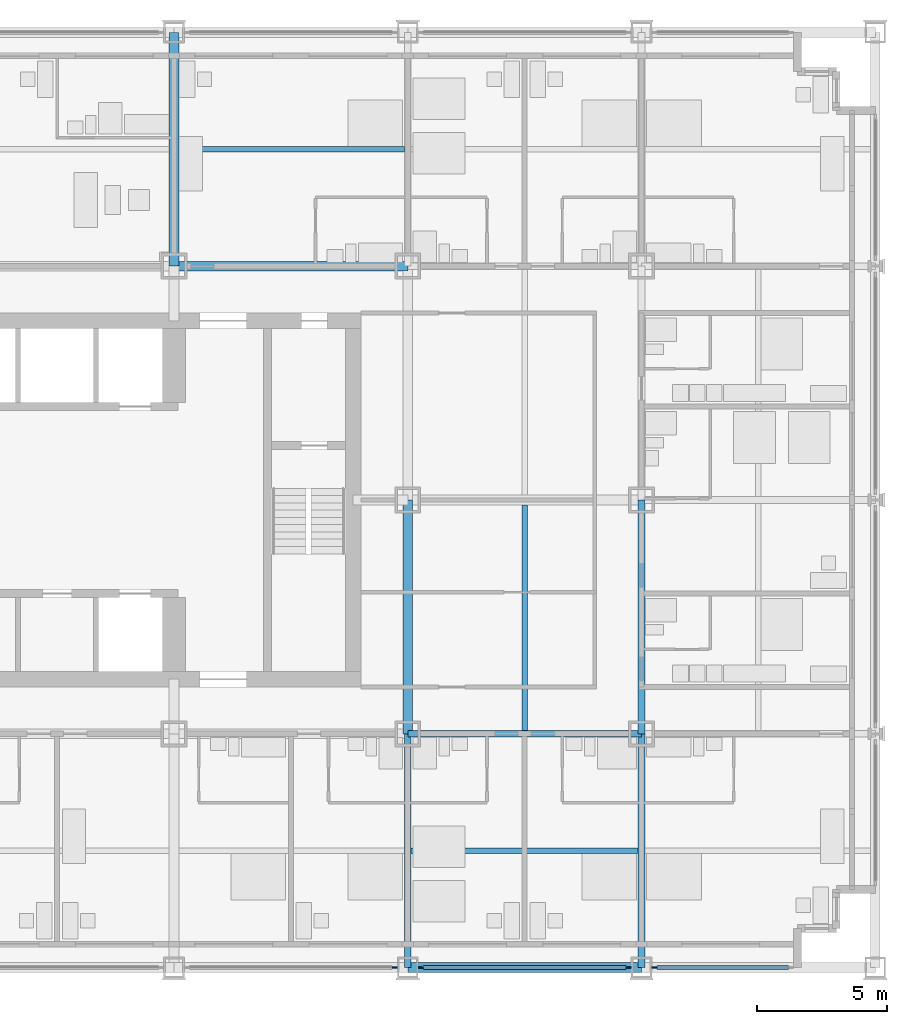
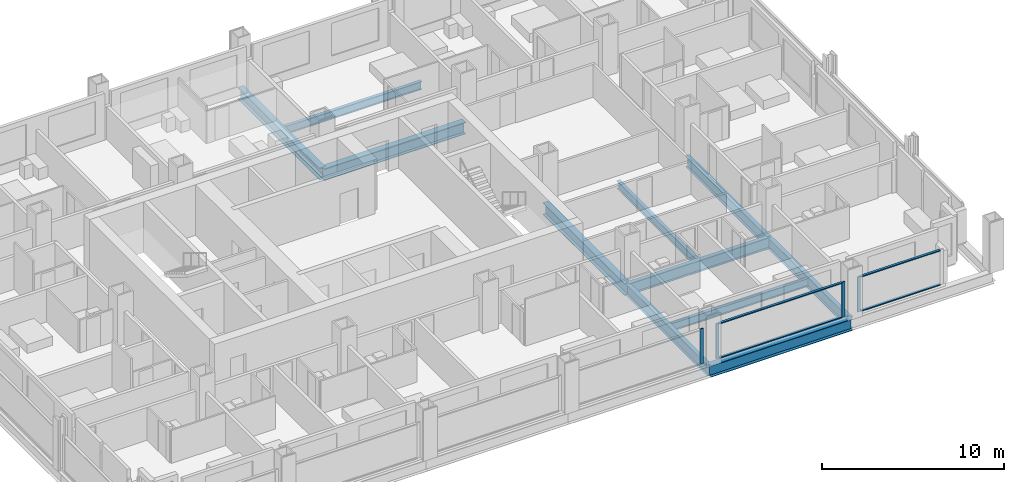
# One storey, part 5 of 19: 11 beams, 8 members, 3 elements without a shape of their own.
"""IFC4 building model written with IfcOpenShell, lengths in metres."""

from ifc_helpers import new_model, si_unit, direction, frame, origin, origin_2d, place, context, subcontext, project, spatial, rectangle, i_section, extrude, material, material_profile, profile_set, type_object, element, aggregate, save


model = new_model("IFC4")

# Units and contexts
model_context = context("Model", 3, precision=1e-05, world=origin(), true_north=direction((0.0, 1.0)))
body_context = subcontext(model_context, "Body", "Model", "MODEL_VIEW")
ifc_project = project(units=[si_unit("LENGTHUNIT", "METRE"), si_unit("AREAUNIT", "SQUARE_METRE"), si_unit("VOLUMEUNIT", "CUBIC_METRE"), si_unit("PLANEANGLEUNIT", "RADIAN"), si_unit("MASSUNIT", "GRAM", prefix="KILO")], contexts=[model_context])

# Site, building, storey
site_placement = place(None, origin())
site = spatial("IfcSite", under=ifc_project, at=site_placement, CompositionType="ELEMENT")
building_placement = place(site_placement, origin())
building = spatial("IfcBuilding", under=site, at=building_placement, Name="Loomwork Tower", CompositionType="ELEMENT")
storey_placement = place(building_placement, frame((0.0, 0.0, 85.800048828125)))
storey = spatial("IfcBuildingStorey", under=building, at=storey_placement, Name="L22", CompositionType="ELEMENT", Elevation=85.800048828125)

# Beams
ifc_material_1 = material(Name="Steel ASTM A992", Category="steel")
ifc_material_profile_1 = material_profile(ifc_material_1, i_section(OverallWidth=0.383544921875, OverallDepth=0.794921875, WebThickness=0.02099609375, FlangeThickness=0.0380859375, at=origin_2d()), Name="W30x235")
ifc_profile_set_1 = profile_set([ifc_material_profile_1], Name="Steel ASTM A992")
beam_type_1 = type_object("IfcBeamType", Name="CORE FLANK GIRDER W30x235", PredefinedType="BEAM", material=ifc_profile_set_1)
for number, where, z_axis, x_axis, name in (
    (1, (27.0, 27.0, -0.59765625), (1.0, 0.0, 0.0), (0.0, 1.0, 0.0), "Core Flank Girder G/5-G/6 L22"),
    (2, (27.0, 27.0, -0.59765625), (0.0, 1.0, 0.0), (-1.0, 0.0, 0.0), "Core Flank Girder G/5-H/5 L22"),
    (3, (36.0, 9.0, -0.59765625), (0.0, 1.0, 0.0), (-1.0, 0.0, 0.0), "Core Flank Girder E/6-F/6 L22"),
):
    element("IfcBeam", number, at=place(storey_placement, frame(where, z_axis=z_axis, x_axis=x_axis)), inside=storey, type_object=beam_type_1, Name=name, PredefinedType="BEAM", context=body_context, shape_type="SweptSolid", body=[
        extrude(i_section(OverallWidth=0.383544921875, OverallDepth=0.794921875, WebThickness=0.02099609375, FlangeThickness=0.0380859375, at=origin_2d()), origin(), (0.0, 0.0, 1.0), 9.0),
    ])
ifc_material_2 = material(Name="Steel ASTM A992", Category="steel")
ifc_material_profile_2 = material_profile(ifc_material_2, i_section(OverallWidth=0.2666015625, OverallDepth=0.761962890625, WebThickness=0.014404296875, FlangeThickness=0.021484375, at=origin_2d()), Name="W30x116")
ifc_profile_set_2 = profile_set([ifc_material_profile_2], Name="Steel ASTM A992")
beam_type_2 = type_object("IfcBeamType", Name="FLOOR GIRDER W30x116", PredefinedType="BEAM", material=ifc_profile_set_2)
for number, where, z_axis, x_axis, name in (
    (4, (36.0, 9.0, -0.5810546875), (1.0, 0.0, 0.0), (0.0, 1.0, 0.0), "Floor Girder E/6-E/7 L22"),
    (5, (36.0, 0.0, -0.5810546875), (0.0, 1.0, 0.0), (-1.0, 0.0, 0.0), "Floor Girder D/6-E/6 L22"),
    (6, (45.0, 0.0, -0.5810546875), (0.0, 1.0, 0.0), (-1.0, 0.0, 0.0), "Floor Girder D/7-E/7 L22"),
    (7, (45.0, 9.0, -0.5810546875), (0.0, 1.0, 0.0), (-1.0, 0.0, 0.0), "Floor Girder E/7-F/7 L22"),
):
    element("IfcBeam", number, at=place(storey_placement, frame(where, z_axis=z_axis, x_axis=x_axis)), inside=storey, type_object=beam_type_2, Name=name, PredefinedType="BEAM", context=body_context, shape_type="SweptSolid", body=[
        extrude(i_section(OverallWidth=0.2666015625, OverallDepth=0.761962890625, WebThickness=0.014404296875, FlangeThickness=0.021484375, at=origin_2d()), origin(), (0.0, 0.0, 1.0), 9.0),
    ])
ifc_material_3 = material(Name="Steel ASTM A992", Category="steel")
ifc_material_profile_3 = material_profile(ifc_material_3, i_section(OverallWidth=0.2109375, OverallDepth=0.53857421875, WebThickness=0.011474609375, FlangeThickness=0.018798828125, at=origin_2d()), Name="W21x73")
ifc_profile_set_3 = profile_set([ifc_material_profile_3], Name="Steel ASTM A992")
beam_type_3 = type_object("IfcBeamType", Name="FLOOR JOIST W21x73", PredefinedType="JOIST", material=ifc_profile_set_3)
beam_1_placement = place(storey_placement, frame((27.19091796875, 31.5, -0.46923828125), z_axis=(1.0, 0.0, 0.0), x_axis=(0.0, 1.0, 0.0)))
element("IfcBeam", 8, at=beam_1_placement, inside=storey, type_object=beam_type_3, Name="Floor Joist 27.000,31.500-36.000,31.500 L22", PredefinedType="JOIST", context=body_context, shape_type="SweptSolid", body=[
    extrude(i_section(OverallWidth=0.2109375, OverallDepth=0.53857421875, WebThickness=0.011474609375, FlangeThickness=0.018798828125, at=origin_2d()), origin(), (0.0, 0.0, 1.0), 8.676025390625),
])
beam_2_placement = place(storey_placement, frame((36.133056640625, 4.5, -0.46923828125), z_axis=(1.0, 0.0, 0.0), x_axis=(0.0, 1.0, 0.0)))
element("IfcBeam", 9, at=beam_2_placement, inside=storey, type_object=beam_type_3, Name="Floor Joist 36.000,4.500-45.000,4.500 L22", PredefinedType="JOIST", context=body_context, shape_type="SweptSolid", body=[
    extrude(i_section(OverallWidth=0.2109375, OverallDepth=0.53857421875, WebThickness=0.011474609375, FlangeThickness=0.018798828125, at=origin_2d()), origin(), (0.0, 0.0, 1.0), 8.73388671875),
])
beam_3_placement = place(storey_placement, frame((40.5, 9.133056640625, -0.46923828125), z_axis=(0.0, 1.0, 0.0), x_axis=(-1.0, 0.0, 0.0)))
element("IfcBeam", 10, at=beam_3_placement, inside=storey, type_object=beam_type_3, Name="Floor Joist 40.500,9.000-40.500,18.000 L22", PredefinedType="JOIST", context=body_context, shape_type="SweptSolid", body=[
    extrude(i_section(OverallWidth=0.2109375, OverallDepth=0.53857421875, WebThickness=0.011474609375, FlangeThickness=0.018798828125, at=origin_2d()), origin(), (0.0, 0.0, 1.0), 8.676025390625),
])

# Curtain wall, member
ifc_material_4 = material(Name="Aluminium curtain wall frame", Category="aluminium")
curtain_wall_type = type_object("IfcCurtainWallType", Name="Outer skin glazing hotel", PredefinedType="NOTDEFINED", material=ifc_material_4)
curtain_wall_1_placement = place(storey_placement, origin())
curtain_wall_1 = element("IfcCurtainWall", 11, at=curtain_wall_1_placement, inside=storey, type_object=curtain_wall_type, Name="Outer skin glazing hotel cw/S-27", PredefinedType="NOTDEFINED")
ifc_material_5 = material(Name="Aluminium curtain wall frame", Category="aluminium")
ifc_material_profile_4 = material_profile(ifc_material_5, rectangle(XDim=0.06494140625, YDim=0.199951171875, at=origin_2d()), Name="AL 65x200")
ifc_profile_set_4 = profile_set([ifc_material_profile_4], Name="Aluminium curtain wall frame")
member_type_1 = type_object("IfcMemberType", Name="Outer skin glazing hotel mullion", PredefinedType="MULLION", material=ifc_profile_set_4)
member_1_placement = place(storey_placement, frame((35.5, 0.0, 0.0), z_axis=(0.0, 0.0, 1.0), x_axis=(0.0, 1.0, 0.0)))
member_1 = element("IfcMember", 12, at=member_1_placement, type_object=member_type_1, Name="CW1 mullion 2", PredefinedType="MULLION", context=body_context, shape_type="SweptSolid", body=[
    extrude(rectangle(XDim=0.06494140625, YDim=0.199951171875, at=origin_2d()), origin(), (0.0, 0.0, 1.0), 2.3701171875),
])
aggregate(curtain_wall_1, [member_1])

# Curtain wall, members
curtain_wall_2_placement = place(storey_placement, origin())
curtain_wall_2 = element("IfcCurtainWall", 13, at=curtain_wall_2_placement, inside=storey, type_object=curtain_wall_type, Name="Outer skin glazing hotel cw/S-36", PredefinedType="NOTDEFINED")
member_2_placement = place(storey_placement, frame((36.5, 0.0, 0.0), z_axis=(0.0, 0.0, 1.0), x_axis=(0.0, 1.0, 0.0)))
member_2 = element("IfcMember", 14, at=member_2_placement, type_object=member_type_1, Name="CW1 mullion 1", PredefinedType="MULLION", context=body_context, shape_type="SweptSolid", body=[
    extrude(rectangle(XDim=0.06494140625, YDim=0.199951171875, at=origin_2d()), origin(), (0.0, 0.0, 1.0), 2.3701171875),
])
member_3_placement = place(storey_placement, frame((44.5, 0.0, 0.0), z_axis=(0.0, 0.0, 1.0), x_axis=(0.0, 1.0, 0.0)))
member_3 = element("IfcMember", 15, at=member_3_placement, type_object=member_type_1, Name="CW1 mullion 2", PredefinedType="MULLION", context=body_context, shape_type="SweptSolid", body=[
    extrude(rectangle(XDim=0.06494140625, YDim=0.199951171875, at=origin_2d()), origin(), (0.0, 0.0, 1.0), 2.3701171875),
])

# Curtain wall, member
curtain_wall_3_placement = place(storey_placement, origin())
curtain_wall_3 = element("IfcCurtainWall", 16, at=curtain_wall_3_placement, inside=storey, type_object=curtain_wall_type, Name="Outer skin glazing hotel cw/S-45", PredefinedType="NOTDEFINED")
member_4_placement = place(storey_placement, frame((45.5, 0.0, 0.0), z_axis=(0.0, 0.0, 1.0), x_axis=(0.0, 1.0, 0.0)))
member_4 = element("IfcMember", 17, at=member_4_placement, type_object=member_type_1, Name="CW1 mullion 1", PredefinedType="MULLION", context=body_context, shape_type="SweptSolid", body=[
    extrude(rectangle(XDim=0.06494140625, YDim=0.199951171875, at=origin_2d()), origin(), (0.0, 0.0, 1.0), 2.3701171875),
])

# Member
ifc_material_6 = material(Name="Aluminium curtain wall frame", Category="aluminium")
ifc_material_profile_5 = material_profile(ifc_material_6, rectangle(XDim=0.14990234375, YDim=0.06494140625, at=origin_2d()), Name="AL 65x150")
ifc_profile_set_5 = profile_set([ifc_material_profile_5], Name="Aluminium curtain wall frame")
member_type_2 = type_object("IfcMemberType", Name="Outer skin glazing hotel transom", PredefinedType="USERDEFINED", material=ifc_profile_set_5)
member_5_placement = place(storey_placement, frame((36.60009765625, 0.0, 0.032470703125), z_axis=(1.0, 0.0, 0.0), x_axis=(0.0, 1.0, 0.0)))
member_5 = element("IfcMember", 18, at=member_5_placement, type_object=member_type_2, Name="CW1 transom 1.1", ObjectType="TRANSOM", PredefinedType="USERDEFINED", context=body_context, shape_type="SweptSolid", body=[
    extrude(rectangle(XDim=0.14990234375, YDim=0.06494140625, at=origin_2d()), origin(), (0.0, 0.0, 1.0), 7.7998046875),
])

member_6_placement = place(storey_placement, frame((36.60009765625, 0.0, 2.337646484375), z_axis=(1.0, 0.0, 0.0), x_axis=(0.0, 1.0, 0.0)))
member_6 = element("IfcMember", 19, at=member_6_placement, type_object=member_type_2, Name="CW1 transom 1.2", ObjectType="TRANSOM", PredefinedType="USERDEFINED", context=body_context, shape_type="SweptSolid", body=[
    extrude(rectangle(XDim=0.14990234375, YDim=0.06494140625, at=origin_2d()), origin(), (0.0, 0.0, 1.0), 7.7998046875),
])

aggregate(curtain_wall_2, [member_2, member_3, member_5, member_6])

member_7_placement = place(storey_placement, frame((45.60009765625, 0.0, 0.032470703125), z_axis=(1.0, 0.0, 0.0), x_axis=(0.0, 1.0, 0.0)))
member_7 = element("IfcMember", 20, at=member_7_placement, type_object=member_type_2, Name="CW1 transom 1.1", ObjectType="TRANSOM", PredefinedType="USERDEFINED", context=body_context, shape_type="SweptSolid", body=[
    extrude(rectangle(XDim=0.14990234375, YDim=0.06494140625, at=origin_2d()), origin(), (0.0, 0.0, 1.0), 5.0498046875),
])

member_8_placement = place(storey_placement, frame((45.60009765625, 0.0, 2.337646484375), z_axis=(1.0, 0.0, 0.0), x_axis=(0.0, 1.0, 0.0)))
member_8 = element("IfcMember", 21, at=member_8_placement, type_object=member_type_2, Name="CW1 transom 1.2", ObjectType="TRANSOM", PredefinedType="USERDEFINED", context=body_context, shape_type="SweptSolid", body=[
    extrude(rectangle(XDim=0.14990234375, YDim=0.06494140625, at=origin_2d()), origin(), (0.0, 0.0, 1.0), 5.0498046875),
])

aggregate(curtain_wall_3, [member_4, member_7, member_8])

# Beam
ifc_material_7 = material(Name="Steel ASTM A992", Category="steel")
ifc_material_profile_6 = material_profile(ifc_material_7, i_section(OverallWidth=0.381103515625, OverallDepth=0.77978515625, WebThickness=0.01806640625, FlangeThickness=0.0302734375, at=origin_2d()), Name="W30x191")
ifc_profile_set_6 = profile_set([ifc_material_profile_6], Name="Steel ASTM A992")
beam_type_4 = type_object("IfcBeamType", Name="SPANDREL GIRDER W30x191", PredefinedType="SPANDREL", material=ifc_profile_set_6)
beam_4_placement = place(storey_placement, frame((36.0, 0.0, -0.58984375), z_axis=(1.0, 0.0, 0.0), x_axis=(0.0, 1.0, 0.0)))
element("IfcBeam", 22, at=beam_4_placement, inside=storey, type_object=beam_type_4, Name="Spandrel Girder D/6-D/7 L22", PredefinedType="SPANDREL", context=body_context, shape_type="SweptSolid", body=[
    extrude(i_section(OverallWidth=0.381103515625, OverallDepth=0.77978515625, WebThickness=0.01806640625, FlangeThickness=0.0302734375, at=origin_2d()), origin(), (0.0, 0.0, 1.0), 9.0),
])

save(model, "model.ifc")
